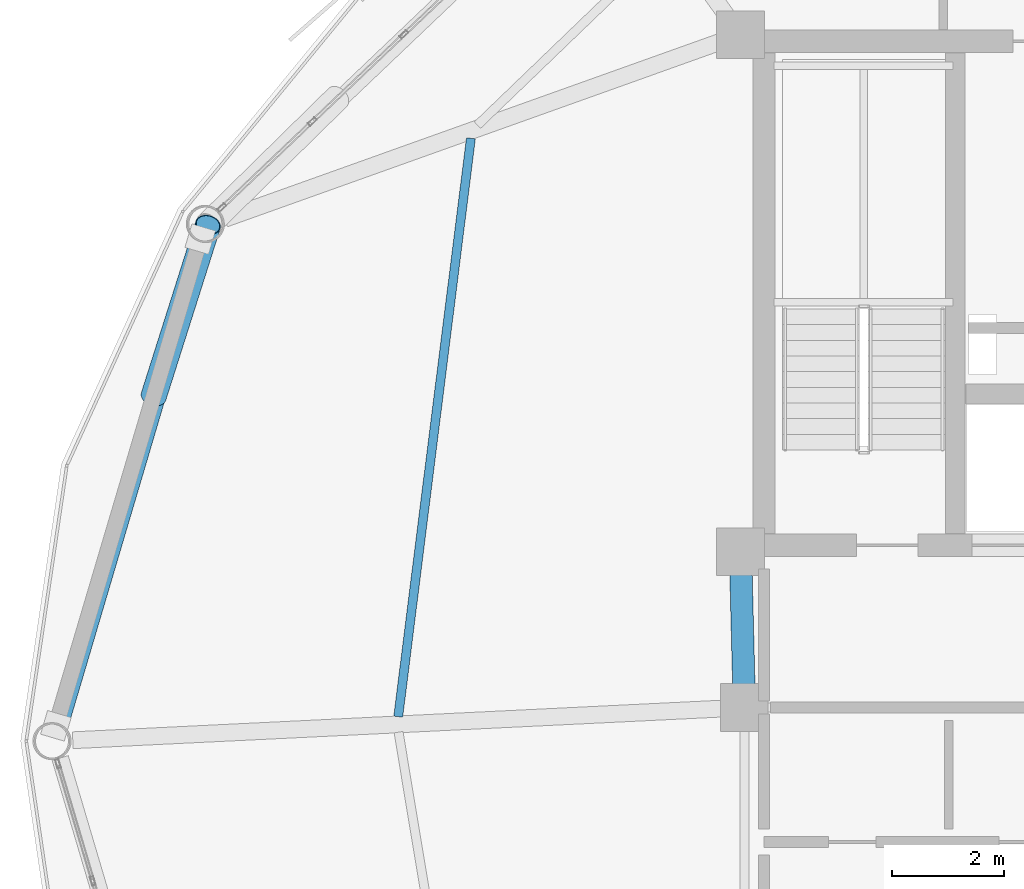
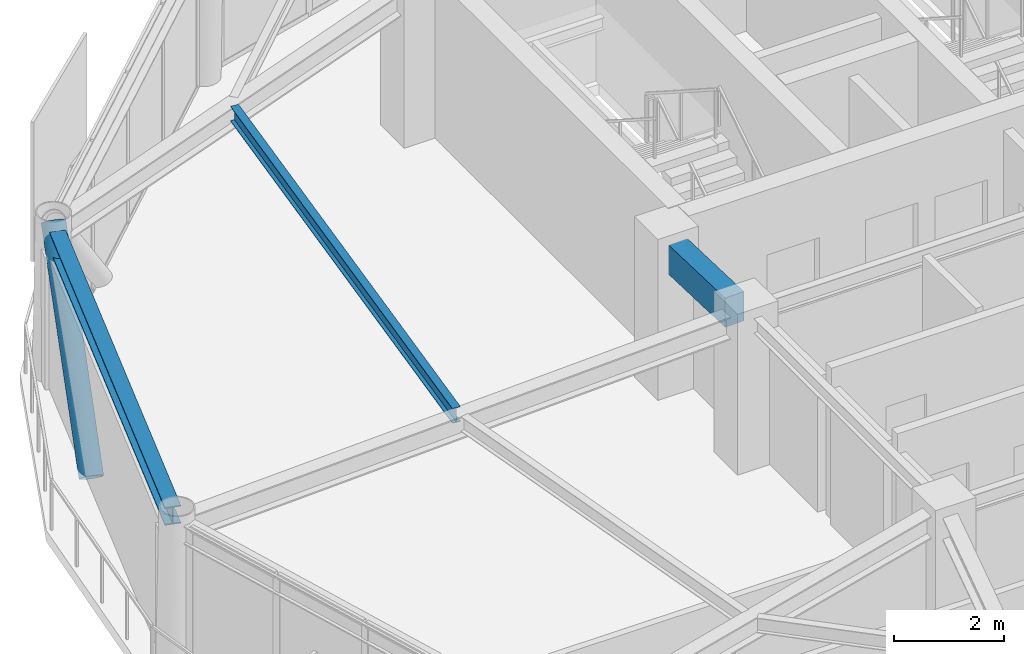
# One storey, part 13 of 29: 3 beams, 1 member.
"""IFC4 building model written with IfcOpenShell, lengths in metres."""

from ifc_helpers import new_model, si_unit, direction, frame, origin, origin_2d, place, context, subcontext, project, spatial, rectangle, hollow_circle, i_section, extrude, material, material_profile, profile_set, type_object, element, save


model = new_model("IFC4")

# Units and contexts
model_context = context("Model", 3, precision=1e-05, world=origin(), true_north=direction((0.0, 1.0)))
body_context = subcontext(model_context, "Body", "Model", "MODEL_VIEW")
ifc_project = project(units=[si_unit("LENGTHUNIT", "METRE"), si_unit("AREAUNIT", "SQUARE_METRE"), si_unit("VOLUMEUNIT", "CUBIC_METRE"), si_unit("PLANEANGLEUNIT", "RADIAN"), si_unit("MASSUNIT", "GRAM", prefix="KILO")], contexts=[model_context])

# Site, building, storey
site_placement = place(None, origin())
site = spatial("IfcSite", under=ifc_project, at=site_placement, CompositionType="ELEMENT")
building_placement = place(site_placement, origin())
building = spatial("IfcBuilding", under=site, at=building_placement, Name="Varnakorn Sky Granary", CompositionType="ELEMENT")
storey_placement = place(building_placement, frame((0.0, 0.0, 189.60009765625)))
storey = spatial("IfcBuildingStorey", under=building, at=storey_placement, Name="L47", CompositionType="ELEMENT", Elevation=189.60009765625)

# Beams
ifc_material_1 = material(Name="Concrete C50/60", Category="concrete")
ifc_material_profile_1 = material_profile(ifc_material_1, rectangle(XDim=0.39990234375, YDim=0.64990234375, at=origin_2d()), Name="RC 400x650")
ifc_profile_set_1 = profile_set([ifc_material_profile_1], Name="Concrete C50/60")
beam_type_1 = type_object("IfcBeamType", Name="BM-LIN-650", PredefinedType="LINTEL", material=ifc_profile_set_1)
beam_1_placement = place(storey_placement, frame((-2.409912109375, 2.97509765625, 3.034912109375), z_axis=(0.025270737467, -0.99968064392, 0.0), x_axis=(0.99968064392, 0.025270737467, 0.0)))
element("IfcBeam", 1, at=beam_1_placement, inside=storey, type_object=beam_type_1, Name="Core Spine Framing Beam 1 L47", PredefinedType="LINTEL", context=body_context, shape_type="SweptSolid", body=[
    extrude(rectangle(XDim=0.39990234375, YDim=0.64990234375, at=origin_2d()), origin(), (0.0, 0.0, 1.0), 1.970947265625),
])
ifc_material_2 = material(Name="Steel S355JR", Category="steel")
ifc_material_profile_2 = material_profile(ifc_material_2, i_section(OverallWidth=0.159912109375, OverallDepth=0.330078125, WebThickness=0.007568359375, FlangeThickness=0.011474609375, at=origin_2d()), Name="IPE 330")
ifc_profile_set_2 = profile_set([ifc_material_profile_2], Name="Steel S355JR")
beam_type_2 = type_object("IfcBeamType", Name="BM-SEC-Z4", PredefinedType="BEAM", material=ifc_profile_set_2)
beam_2_placement = place(storey_placement, frame((-7.23486328125, 10.767578125, 3.19482421875), z_axis=(-0.124672491887, -0.992197948882, 0.0), x_axis=(0.992197948882, -0.124672491887, 0.0)))
element("IfcBeam", 2, at=beam_2_placement, inside=storey, type_object=beam_type_2, Name="Secondary Floor Chord Beam MSB06 L47", PredefinedType="BEAM", context=body_context, shape_type="SweptSolid", body=[
    extrude(i_section(OverallWidth=0.159912109375, OverallDepth=0.330078125, WebThickness=0.007568359375, FlangeThickness=0.011474609375, at=origin_2d()), origin(), (0.0, 0.0, 1.0), 10.412109375),
])
ifc_material_profile_3 = material_profile(ifc_material_2, i_section(OverallWidth=0.300048828125, OverallDepth=0.39990234375, WebThickness=0.013427734375, FlangeThickness=0.02392578125, at=origin_2d()), Name="HE 400 B")
ifc_profile_set_3 = profile_set([ifc_material_profile_3], Name="Steel S355JR")
beam_type_3 = type_object("IfcBeamType", Name="BM-SPD-Z4", PredefinedType="SPANDREL", material=ifc_profile_set_3)
beam_3_placement = place(storey_placement, frame((-12.01953125, 8.9208984375, 3.159912109375), z_axis=(-0.28390984566, -0.958850978795, 0.0), x_axis=(0.958850978795, -0.28390984566, 0.0)))
element("IfcBeam", 3, at=beam_3_placement, inside=storey, type_object=beam_type_3, Name="Perimeter Spandrel Ring Beam RB06 L47", PredefinedType="SPANDREL", context=body_context, shape_type="SweptSolid", body=[
    extrude(i_section(OverallWidth=0.300048828125, OverallDepth=0.39990234375, WebThickness=0.013427734375, FlangeThickness=0.02392578125, at=origin_2d()), origin(), (0.0, 0.0, 1.0), 8.98876953125),
])

# Member
ifc_material_3 = material(Name="Steel S460M", Category="steel")
ifc_material_profile_4 = material_profile(ifc_material_3, hollow_circle(Radius=0.228515625, WallThickness=0.01611328125, at=origin_2d()), Name="CHS 457x16")
ifc_profile_set_4 = profile_set([ifc_material_profile_4], Name="Steel S460M")
member_type = type_object("IfcMemberType", Name="MB-DIAG-T3", PredefinedType="BRACE", material=ifc_profile_set_4)
member_placement = place(storey_placement, frame((-12.90234375, 6.159912109375, -0.130126953125), z_axis=(0.204918949168, 0.645633635425, 0.735639472214), x_axis=(-0.953143045262, 0.302519974991, 0.0)))
element("IfcMember", 4, at=member_placement, inside=storey, type_object=member_type, Name="Perimeter CHS Diagrid Brace DG06 L47", PredefinedType="BRACE", context=body_context, shape_type="SweptSolid", body=[
    extrude(hollow_circle(Radius=0.228515625, WallThickness=0.01611328125, at=origin_2d()), origin(), (0.0, 0.0, 1.0), 4.744140625),
])

save(model, "model.ifc")
